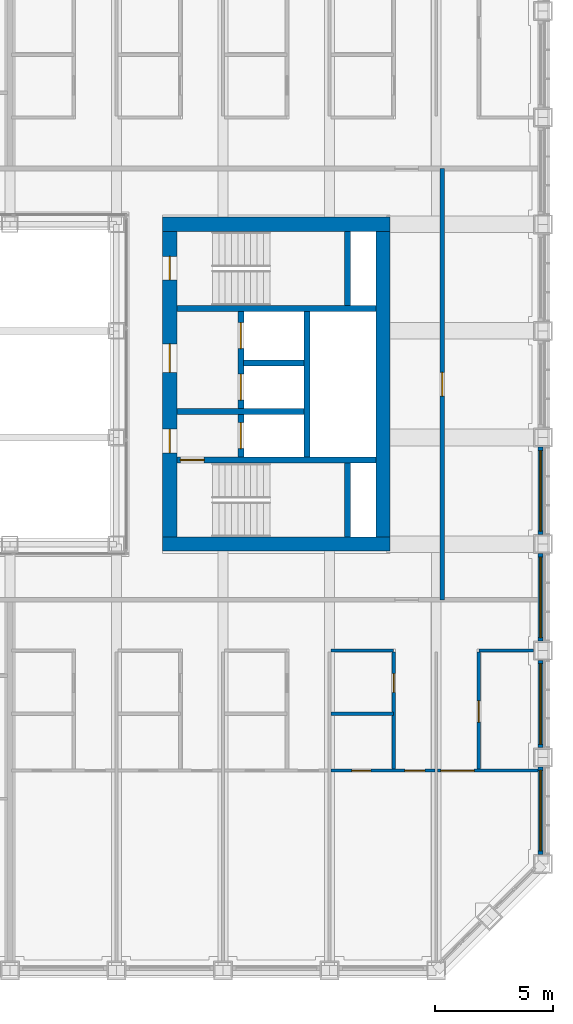
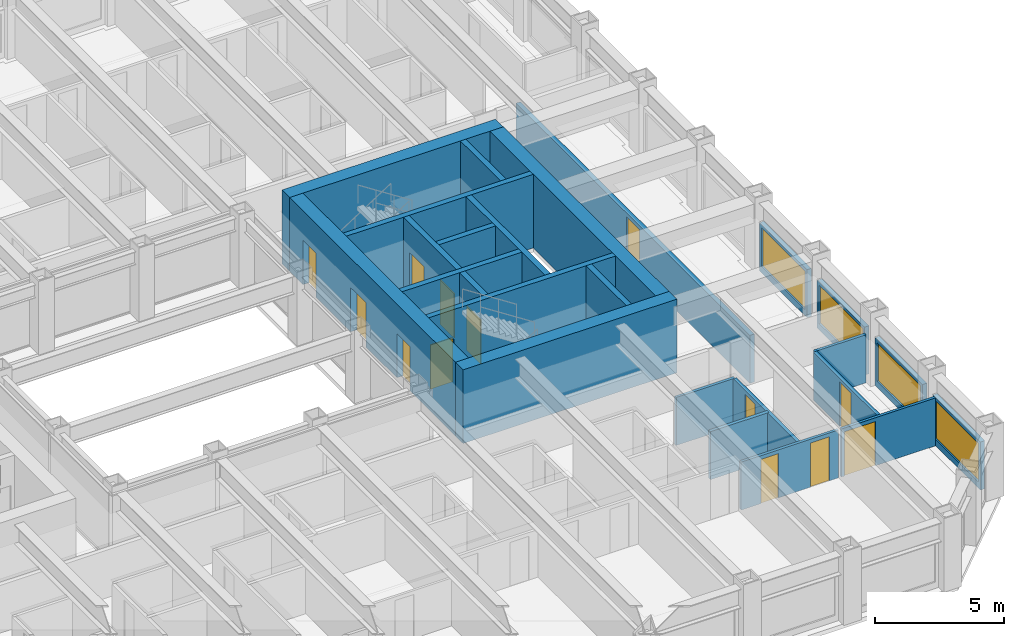
# One storey, part 12 of 21: 24 walls, 13 doors, 4 windows, 17 openings.
"""IFC4 building model written with IfcOpenShell, lengths in metres."""

from ifc_helpers import new_model, si_unit, direction, frame, frame_2d, origin, place, context, subcontext, project, spatial, rectangle, extrude, material, layer, layer_set, type_object, element, fill, save


model = new_model("IFC4")

# Units and contexts
model_context = context("Model", 3, precision=1e-05, world=origin(), true_north=direction((0.0, 1.0)))
body_context = subcontext(model_context, "Body", "Model", "MODEL_VIEW")
ifc_project = project(units=[si_unit("LENGTHUNIT", "METRE"), si_unit("AREAUNIT", "SQUARE_METRE"), si_unit("VOLUMEUNIT", "CUBIC_METRE"), si_unit("PLANEANGLEUNIT", "RADIAN"), si_unit("MASSUNIT", "GRAM", prefix="KILO")], contexts=[model_context])

# Site, building, storey
site_placement = place(None, origin())
site = spatial("IfcSite", under=ifc_project, at=site_placement, CompositionType="ELEMENT")
building_placement = place(site_placement, origin())
building = spatial("IfcBuilding", under=site, at=building_placement, Name="Msasa Ring Tower", CompositionType="ELEMENT")
storey_placement = place(building_placement, frame((0.0, 0.0, 103.5)))
storey = spatial("IfcBuildingStorey", under=building, at=storey_placement, Name="L27", CompositionType="ELEMENT", Elevation=103.5)

# Walls
ifc_material_1 = material(Name="Concrete C60/75", Category="concrete")
ifc_layer_1 = layer(ifc_material_1, 0.60009765625)
ifc_layer_set_1 = layer_set([ifc_layer_1], Name="CW1 CORE WALL 600")
wall_type_1 = type_object("IfcWallType", Name="CW1 CORE WALL 600", PredefinedType="SHEAR", material=ifc_layer_set_1)
for number, where, z_axis, x_axis, name in (
    (1, (8.699951171875, -6.75, 0.0), (0.0, 0.0, 1.0), (1.0, 0.0, 0.0), "E core wall S L27"),
    (2, (8.699951171875, 6.75, 0.0), (0.0, 0.0, 1.0), (1.0, 0.0, 0.0), "E core wall N L27"),
):
    element("IfcWall", number, at=place(storey_placement, frame(where, z_axis=z_axis, x_axis=x_axis)), inside=storey, type_object=wall_type_1, Name=name, PredefinedType="SHEAR", context=body_context, shape_type="SweptSolid", body=[
        extrude(rectangle(XDim=9.60009765625, YDim=0.60009765625, at=frame_2d((4.800048828125, 0.0))), origin(), (0.0, 0.0, 1.0), 3.5),
    ])

# Wall, openings, doors
wall_1_placement = place(storey_placement, frame((9.0, -6.449951171875, 0.0), z_axis=(0.0, 0.0, 1.0), x_axis=(0.0, 1.0, 0.0)))
wall_1 = element("IfcWall", 3, at=wall_1_placement, inside=storey, type_object=wall_type_1, Name="E core wall W L27", PredefinedType="SHEAR", context=body_context, shape_type="SweptSolid", body=[
    extrude(rectangle(XDim=12.89990234375, YDim=0.60009765625, at=frame_2d((6.449951171875, 0.0))), origin(), (0.0, 0.0, 1.0), 3.5),
])
opening_1_placement = place(wall_1_placement, frame((3.550048828125, 0.0, 0.0)))
opening_1 = element("IfcOpeningElement", 4, at=opening_1_placement, cuts=wall_1, Name="Opening RH-045", PredefinedType="OPENING", context=body_context, shape_type="SweptSolid", body=[
    extrude(rectangle(XDim=1.0, YDim=2.10009765625, at=frame_2d((0.5, 1.050048828125))), frame((0.0, 0.31005859375, 0.0), z_axis=(0.0, -1.0, 0.0), x_axis=(1.0, 0.0, 0.0)), (0.0, 0.0, 1.0), 0.6201171875),
])
opening_2_placement = place(wall_1_placement, frame((6.949951171875, 0.0, 0.0)))
opening_2 = element("IfcOpeningElement", 5, at=opening_2_placement, cuts=wall_1, Name="Opening RH-040", PredefinedType="OPENING", context=body_context, shape_type="SweptSolid", body=[
    extrude(rectangle(XDim=1.199951171875, YDim=2.10009765625, at=frame_2d((0.60009765625, 1.050048828125))), frame((0.0, 0.31005859375, 0.0), z_axis=(0.0, -1.0, 0.0), x_axis=(1.0, 0.0, 0.0)), (0.0, 0.0, 1.0), 0.6201171875),
])
opening_3_placement = place(wall_1_placement, frame((10.85009765625, 0.0, 0.0)))
opening_3 = element("IfcOpeningElement", 6, at=opening_3_placement, cuts=wall_1, Name="Opening RH-037", PredefinedType="OPENING", context=body_context, shape_type="SweptSolid", body=[
    extrude(rectangle(XDim=1.0, YDim=2.10009765625, at=frame_2d((0.5, 1.050048828125))), frame((0.0, 0.31005859375, 0.0), z_axis=(0.0, -1.0, 0.0), x_axis=(1.0, 0.0, 0.0)), (0.0, 0.0, 1.0), 0.6201171875),
])
ifc_material_2 = material(Name="Timber door leaf in a steel frame", Category="steel")
door_type_1 = type_object("IfcDoorType", Name="D4 LOBBY DOOR 1000x2100", OperationType="SINGLE_SWING_LEFT", PredefinedType="DOOR", material=ifc_material_2)
door_1_placement = place(opening_1_placement, origin())
door_1 = element("IfcDoor", 7, at=door_1_placement, inside=storey, type_object=door_type_1, Name="Door L27-EFFL", OperationType="SINGLE_SWING_LEFT", OverallHeight=2.10009765625, OverallWidth=1.0, PredefinedType="DOOR", context=body_context, shape_type="SweptSolid", body=[
    extrude(rectangle(XDim=1.0, YDim=2.10009765625, at=frame_2d((0.5, 1.050048828125))), frame((0.0, 0.02490234375, 0.0), z_axis=(0.0, -1.0, 0.0), x_axis=(1.0, 0.0, 0.0)), (0.0, 0.0, 1.0), 0.050048828125),
])
fill(opening_1, door_1)
ifc_material_3 = material(Name="Timber door leaf in a steel frame", Category="steel")
door_type_2 = type_object("IfcDoorType", Name="D5 WIDE LOBBY DOOR 1200x2100", OperationType="SINGLE_SWING_LEFT", PredefinedType="DOOR", material=ifc_material_3)
door_2_placement = place(opening_2_placement, origin())
door_2 = element("IfcDoor", 8, at=door_2_placement, inside=storey, type_object=door_type_2, Name="Door L27-ELL", OperationType="SINGLE_SWING_RIGHT", OverallHeight=2.10009765625, OverallWidth=1.199951171875, PredefinedType="DOOR", context=body_context, shape_type="SweptSolid", body=[
    extrude(rectangle(XDim=1.199951171875, YDim=2.10009765625, at=frame_2d((0.60009765625, 1.050048828125))), frame((0.0, 0.02490234375, 0.0), z_axis=(0.0, -1.0, 0.0), x_axis=(1.0, 0.0, 0.0)), (0.0, 0.0, 1.0), 0.050048828125),
])
fill(opening_2, door_2)
ifc_material_4 = material(Name="Timber door leaf in a steel frame", Category="steel")
door_type_3 = type_object("IfcDoorType", Name="D6 STAIR DOOR 1000x2100", OperationType="SINGLE_SWING_LEFT", PredefinedType="DOOR", material=ifc_material_4)
door_3_placement = place(opening_3_placement, origin())
door_3 = element("IfcDoor", 9, at=door_3_placement, inside=storey, type_object=door_type_3, Name="Door L27-ESTB", OperationType="SINGLE_SWING_RIGHT", OverallHeight=2.10009765625, OverallWidth=1.0, PredefinedType="DOOR", context=body_context, shape_type="SweptSolid", body=[
    extrude(rectangle(XDim=1.0, YDim=2.10009765625, at=frame_2d((0.5, 1.050048828125))), frame((0.0, 0.02490234375, 0.0), z_axis=(0.0, -1.0, 0.0), x_axis=(1.0, 0.0, 0.0)), (0.0, 0.0, 1.0), 0.050048828125),
])
fill(opening_3, door_3)

# Wall
wall_2_placement = place(storey_placement, frame((18.0, -6.449951171875, 0.0), z_axis=(0.0, 0.0, 1.0), x_axis=(0.0, 1.0, 0.0)))
element("IfcWall", 10, at=wall_2_placement, inside=storey, type_object=wall_type_1, Name="E core wall E L27", PredefinedType="SHEAR", context=body_context, shape_type="SweptSolid", body=[
    extrude(rectangle(XDim=12.89990234375, YDim=0.60009765625, at=frame_2d((6.449951171875, 0.0))), origin(), (0.0, 0.0, 1.0), 3.5),
])

# Wall, opening, door
ifc_material_5 = material(Name="Concrete C60/75", Category="concrete")
ifc_layer_2 = layer(ifc_material_5, 0.25)
ifc_layer_set_2 = layer_set([ifc_layer_2], Name="CW4 CORE INNER WALL 250")
wall_type_2 = type_object("IfcWallType", Name="CW4 CORE INNER WALL 250", PredefinedType="SHEAR", material=ifc_layer_set_2)
wall_3_placement = place(storey_placement, frame((9.300048828125, -3.199951171875, 0.0), z_axis=(0.0, 0.0, 1.0), x_axis=(1.0, 0.0, 0.0)))
wall_3 = element("IfcWall", 11, at=wall_3_placement, inside=storey, type_object=wall_type_2, Name="E core wall STAIRA L27", PredefinedType="SHEAR", context=body_context, shape_type="SweptSolid", body=[
    extrude(rectangle(XDim=8.39990234375, YDim=0.25, at=frame_2d((4.199951171875, 0.0))), origin(), (0.0, 0.0, 1.0), 3.5),
])
opening_4_placement = place(wall_3_placement, frame((0.14990234375, 0.0, 0.0)))
opening_4 = element("IfcOpeningElement", 12, at=opening_4_placement, cuts=wall_3, Name="Opening RH-047", PredefinedType="OPENING", context=body_context, shape_type="SweptSolid", body=[
    extrude(rectangle(XDim=1.0, YDim=2.10009765625, at=frame_2d((0.5, 1.050048828125))), frame((0.0, 0.135009765625, 0.0), z_axis=(0.0, -1.0, 0.0), x_axis=(1.0, 0.0, 0.0)), (0.0, 0.0, 1.0), 0.27001953125),
])
door_4_placement = place(opening_4_placement, origin())
door_4 = element("IfcDoor", 13, at=door_4_placement, inside=storey, type_object=door_type_3, Name="Door L27-ESTA", OperationType="SINGLE_SWING_LEFT", OverallHeight=2.10009765625, OverallWidth=1.0, PredefinedType="DOOR", context=body_context, shape_type="SweptSolid", body=[
    extrude(rectangle(XDim=1.0, YDim=2.10009765625, at=frame_2d((0.5, 1.050048828125))), frame((0.0, 0.02490234375, 0.0), z_axis=(0.0, -1.0, 0.0), x_axis=(1.0, 0.0, 0.0)), (0.0, 0.0, 1.0), 0.050048828125),
])
fill(opening_4, door_4)

# Walls
wall_4_placement = place(storey_placement, frame((9.300048828125, 3.199951171875, 0.0), z_axis=(0.0, 0.0, 1.0), x_axis=(1.0, 0.0, 0.0)))
element("IfcWall", 14, at=wall_4_placement, inside=storey, type_object=wall_type_2, Name="E core wall STAIRB L27", PredefinedType="SHEAR", context=body_context, shape_type="SweptSolid", body=[
    extrude(rectangle(XDim=8.39990234375, YDim=0.25, at=frame_2d((4.199951171875, 0.0))), origin(), (0.0, 0.0, 1.0), 3.5),
])
for number, where, z_axis, x_axis, name in (
    (15, (16.5, -6.449951171875, 0.0), (0.0, 0.0, 1.0), (0.0, 1.0, 0.0), "E core wall RISERA L27"),
    (16, (16.5, 3.324951171875, 0.0), (0.0, 0.0, 1.0), (0.0, 1.0, 0.0), "E core wall RISERB L27"),
):
    element("IfcWall", number, at=place(storey_placement, frame(where, z_axis=z_axis, x_axis=x_axis)), inside=storey, type_object=wall_type_2, Name=name, PredefinedType="SHEAR", context=body_context, shape_type="SweptSolid", body=[
        extrude(rectangle(XDim=3.125, YDim=0.25, at=frame_2d((1.5625, 0.0))), origin(), (0.0, 0.0, 1.0), 3.5),
    ])
wall_5_placement = place(storey_placement, frame((9.300048828125, -1.14990234375, 0.0), z_axis=(0.0, 0.0, 1.0), x_axis=(1.0, 0.0, 0.0)))
element("IfcWall", 17, at=wall_5_placement, inside=storey, type_object=wall_type_2, Name="E core wall FFL L27", PredefinedType="SHEAR", context=body_context, shape_type="SweptSolid", body=[
    extrude(rectangle(XDim=5.375, YDim=0.25, at=frame_2d((2.6875, 0.0))), origin(), (0.0, 0.0, 1.0), 3.5),
])

# Wall, openings, doors
wall_6_placement = place(storey_placement, frame((12.0, -3.074951171875, 0.0), z_axis=(0.0, 0.0, 1.0), x_axis=(0.0, 1.0, 0.0)))
wall_6 = element("IfcWall", 18, at=wall_6_placement, inside=storey, type_object=wall_type_2, Name="E core wall LOBBY L27", PredefinedType="SHEAR", context=body_context, shape_type="SweptSolid", body=[
    extrude(rectangle(XDim=6.14990234375, YDim=0.25, at=frame_2d((3.074951171875, 0.0))), origin(), (0.0, 0.0, 1.0), 3.5),
])
opening_5_placement = place(wall_6_placement, frame((0.35009765625, 0.0, 0.0)))
opening_5 = element("IfcOpeningElement", 19, at=opening_5_placement, cuts=wall_6, Name="Opening LD1", PredefinedType="OPENING", context=body_context, shape_type="SweptSolid", body=[
    extrude(rectangle(XDim=1.10009765625, YDim=2.10009765625, at=frame_2d((0.550048828125, 1.050048828125))), frame((0.0, 0.135009765625, 0.0), z_axis=(0.0, -1.0, 0.0), x_axis=(1.0, 0.0, 0.0)), (0.0, 0.0, 1.0), 0.27001953125),
])
opening_6_placement = place(wall_6_placement, frame((2.39990234375, 0.0, 0.0)))
opening_6 = element("IfcOpeningElement", 20, at=opening_6_placement, cuts=wall_6, Name="Opening LD1", PredefinedType="OPENING", context=body_context, shape_type="SweptSolid", body=[
    extrude(rectangle(XDim=1.10009765625, YDim=2.10009765625, at=frame_2d((0.550048828125, 1.050048828125))), frame((0.0, 0.135009765625, 0.0), z_axis=(0.0, -1.0, 0.0), x_axis=(1.0, 0.0, 0.0)), (0.0, 0.0, 1.0), 0.27001953125),
])
opening_7_placement = place(wall_6_placement, frame((4.574951171875, 0.0, 0.0)))
opening_7 = element("IfcOpeningElement", 21, at=opening_7_placement, cuts=wall_6, Name="Opening LD1", PredefinedType="OPENING", context=body_context, shape_type="SweptSolid", body=[
    extrude(rectangle(XDim=1.10009765625, YDim=2.10009765625, at=frame_2d((0.550048828125, 1.050048828125))), frame((0.0, 0.135009765625, 0.0), z_axis=(0.0, -1.0, 0.0), x_axis=(1.0, 0.0, 0.0)), (0.0, 0.0, 1.0), 0.27001953125),
])
ifc_material_6 = material(Name="Stainless steel lift landing door", Category="steel")
door_type_4 = type_object("IfcDoorType", Name="LD1 LIFT LANDING DOOR 1100x2100", OperationType="DOUBLE_DOOR_SLIDING", PredefinedType="DOOR", material=ifc_material_6)
door_5_placement = place(opening_5_placement, origin())
door_5 = element("IfcDoor", 22, at=door_5_placement, inside=storey, type_object=door_type_4, Name="Lift landing door FL-E L27", OperationType="DOUBLE_DOOR_SLIDING", OverallHeight=2.10009765625, OverallWidth=1.10009765625, PredefinedType="DOOR", context=body_context, shape_type="SweptSolid", body=[
    extrude(rectangle(XDim=1.10009765625, YDim=2.10009765625, at=frame_2d((0.550048828125, 1.050048828125))), frame((0.0, 0.02490234375, 0.0), z_axis=(0.0, -1.0, 0.0), x_axis=(1.0, 0.0, 0.0)), (0.0, 0.0, 1.0), 0.050048828125),
])
fill(opening_5, door_5)
door_6_placement = place(opening_6_placement, origin())
door_6 = element("IfcDoor", 23, at=door_6_placement, inside=storey, type_object=door_type_4, Name="Lift landing door PL-R1 L27", OperationType="DOUBLE_DOOR_SLIDING", OverallHeight=2.10009765625, OverallWidth=1.10009765625, PredefinedType="DOOR", context=body_context, shape_type="SweptSolid", body=[
    extrude(rectangle(XDim=1.10009765625, YDim=2.10009765625, at=frame_2d((0.550048828125, 1.050048828125))), frame((0.0, 0.02490234375, 0.0), z_axis=(0.0, -1.0, 0.0), x_axis=(1.0, 0.0, 0.0)), (0.0, 0.0, 1.0), 0.050048828125),
])
fill(opening_6, door_6)
door_7_placement = place(opening_7_placement, origin())
door_7 = element("IfcDoor", 24, at=door_7_placement, inside=storey, type_object=door_type_4, Name="Lift landing door PL-R2 L27", OperationType="DOUBLE_DOOR_SLIDING", OverallHeight=2.10009765625, OverallWidth=1.10009765625, PredefinedType="DOOR", context=body_context, shape_type="SweptSolid", body=[
    extrude(rectangle(XDim=1.10009765625, YDim=2.10009765625, at=frame_2d((0.550048828125, 1.050048828125))), frame((0.0, 0.02490234375, 0.0), z_axis=(0.0, -1.0, 0.0), x_axis=(1.0, 0.0, 0.0)), (0.0, 0.0, 1.0), 0.050048828125),
])
fill(opening_7, door_7)

# Walls
wall_7_placement = place(storey_placement, frame((14.800048828125, -3.074951171875, 0.0), z_axis=(0.0, 0.0, 1.0), x_axis=(0.0, 1.0, 0.0)))
element("IfcWall", 25, at=wall_7_placement, inside=storey, type_object=wall_type_2, Name="E core wall SHAFT L27", PredefinedType="SHEAR", context=body_context, shape_type="SweptSolid", body=[
    extrude(rectangle(XDim=6.14990234375, YDim=0.25, at=frame_2d((3.074951171875, 0.0))), origin(), (0.0, 0.0, 1.0), 3.5),
])
wall_8_placement = place(storey_placement, frame((12.125, 0.89990234375, 0.0), z_axis=(0.0, 0.0, 1.0), x_axis=(1.0, 0.0, 0.0)))
element("IfcWall", 26, at=wall_8_placement, inside=storey, type_object=wall_type_2, Name="E core wall LIFT1 L27", PredefinedType="SHEAR", context=body_context, shape_type="SweptSolid", body=[
    extrude(rectangle(XDim=2.550048828125, YDim=0.25, at=frame_2d((1.27490234375, 0.0))), origin(), (0.0, 0.0, 1.0), 3.5),
])

# Wall, opening, window
ifc_material_7 = material(Name="Terracotta rainscreen on blockwork", Category="masonry")
ifc_layer_3 = layer(ifc_material_7, 0.199951171875)
ifc_layer_set_3 = layer_set([ifc_layer_3], Name="FW1 TERRACOTTA-LINED INFILL BAY WALL 200")
wall_type_3 = type_object("IfcWallType", Name="FW1 TERRACOTTA-LINED INFILL BAY WALL 200", PredefinedType="SOLIDWALL", material=ifc_layer_set_3)
wall_9_placement = place(storey_placement, frame((24.64990234375, -19.844970703125, 0.0), z_axis=(0.0, 0.0, 1.0), x_axis=(0.0, 1.0, 0.0)))
wall_9 = element("IfcWall", 27, at=wall_9_placement, inside=storey, type_object=wall_type_3, Name="Infill bay wall E L27 11", PredefinedType="SOLIDWALL", context=body_context, shape_type="SweptSolid", body=[
    extrude(rectangle(XDim=3.68994140625, YDim=0.199951171875, at=frame_2d((1.844970703125, 0.0))), origin(), (0.0, 0.0, 1.0), 2.279052734375),
])
opening_8_placement = place(wall_9_placement, frame((0.14501953125, 0.0, 0.300048828125)))
opening_8 = element("IfcOpeningElement", 28, at=opening_8_placement, cuts=wall_9, Name="Opening WN6", PredefinedType="OPENING", context=body_context, shape_type="SweptSolid", body=[
    extrude(rectangle(XDim=3.39990234375, YDim=1.8291015625, at=frame_2d((1.699951171875, 0.91455078125))), frame((0.0, 0.10986328125, 0.0), z_axis=(0.0, -1.0, 0.0), x_axis=(1.0, 0.0, 0.0)), (0.0, 0.0, 1.0), 0.219970703125),
])
ifc_material_8 = material(Name="Aluminium frame with clear glass", Category="aluminium")
window_type = type_object("IfcWindowType", Name="WN6 RESIDENCE WINDOW 3400x1829", PartitioningType="SINGLE_PANEL", PredefinedType="WINDOW", material=ifc_material_8)
window_1_placement = place(opening_8_placement, origin())
window_1 = element("IfcWindow", 29, at=window_1_placement, inside=storey, type_object=window_type, Name="Window E L27 11", OverallHeight=1.8291015625, OverallWidth=3.39990234375, PartitioningType="SINGLE_PANEL", PredefinedType="WINDOW", context=body_context, shape_type="SweptSolid", body=[
    extrude(rectangle(XDim=3.39990234375, YDim=1.8291015625, at=frame_2d((1.699951171875, 0.91455078125))), frame((0.0, 0.030029296875, 0.0), z_axis=(0.0, -1.0, 0.0), x_axis=(1.0, 0.0, 0.0)), (0.0, 0.0, 1.0), 0.06005859375),
])
fill(opening_8, window_1)

wall_10_placement = place(storey_placement, frame((24.64990234375, -15.344970703125, 0.0), z_axis=(0.0, 0.0, 1.0), x_axis=(0.0, 1.0, 0.0)))
wall_10 = element("IfcWall", 30, at=wall_10_placement, inside=storey, type_object=wall_type_3, Name="Infill bay wall E L27 12", PredefinedType="SOLIDWALL", context=body_context, shape_type="SweptSolid", body=[
    extrude(rectangle(XDim=3.68994140625, YDim=0.199951171875, at=frame_2d((1.844970703125, 0.0))), origin(), (0.0, 0.0, 1.0), 2.279052734375),
])
opening_9_placement = place(wall_10_placement, frame((0.14501953125, 0.0, 0.300048828125)))
opening_9 = element("IfcOpeningElement", 31, at=opening_9_placement, cuts=wall_10, Name="Opening WN6", PredefinedType="OPENING", context=body_context, shape_type="SweptSolid", body=[
    extrude(rectangle(XDim=3.39990234375, YDim=1.8291015625, at=frame_2d((1.699951171875, 0.91455078125))), frame((0.0, 0.10986328125, 0.0), z_axis=(0.0, -1.0, 0.0), x_axis=(1.0, 0.0, 0.0)), (0.0, 0.0, 1.0), 0.219970703125),
])
window_2_placement = place(opening_9_placement, origin())
window_2 = element("IfcWindow", 32, at=window_2_placement, inside=storey, type_object=window_type, Name="Window E L27 12", OverallHeight=1.8291015625, OverallWidth=3.39990234375, PartitioningType="SINGLE_PANEL", PredefinedType="WINDOW", context=body_context, shape_type="SweptSolid", body=[
    extrude(rectangle(XDim=3.39990234375, YDim=1.8291015625, at=frame_2d((1.699951171875, 0.91455078125))), frame((0.0, 0.030029296875, 0.0), z_axis=(0.0, -1.0, 0.0), x_axis=(1.0, 0.0, 0.0)), (0.0, 0.0, 1.0), 0.06005859375),
])
fill(opening_9, window_2)

wall_11_placement = place(storey_placement, frame((24.64990234375, -10.844970703125, 0.0), z_axis=(0.0, 0.0, 1.0), x_axis=(0.0, 1.0, 0.0)))
wall_11 = element("IfcWall", 33, at=wall_11_placement, inside=storey, type_object=wall_type_3, Name="Infill bay wall E L27 13", PredefinedType="SOLIDWALL", context=body_context, shape_type="SweptSolid", body=[
    extrude(rectangle(XDim=3.68994140625, YDim=0.199951171875, at=frame_2d((1.844970703125, 0.0))), origin(), (0.0, 0.0, 1.0), 2.279052734375),
])
opening_10_placement = place(wall_11_placement, frame((0.14501953125, 0.0, 0.300048828125)))
opening_10 = element("IfcOpeningElement", 34, at=opening_10_placement, cuts=wall_11, Name="Opening WN6", PredefinedType="OPENING", context=body_context, shape_type="SweptSolid", body=[
    extrude(rectangle(XDim=3.39990234375, YDim=1.8291015625, at=frame_2d((1.699951171875, 0.91455078125))), frame((0.0, 0.10986328125, 0.0), z_axis=(0.0, -1.0, 0.0), x_axis=(1.0, 0.0, 0.0)), (0.0, 0.0, 1.0), 0.219970703125),
])
window_3_placement = place(opening_10_placement, origin())
window_3 = element("IfcWindow", 35, at=window_3_placement, inside=storey, type_object=window_type, Name="Window E L27 13", OverallHeight=1.8291015625, OverallWidth=3.39990234375, PartitioningType="SINGLE_PANEL", PredefinedType="WINDOW", context=body_context, shape_type="SweptSolid", body=[
    extrude(rectangle(XDim=3.39990234375, YDim=1.8291015625, at=frame_2d((1.699951171875, 0.91455078125))), frame((0.0, 0.030029296875, 0.0), z_axis=(0.0, -1.0, 0.0), x_axis=(1.0, 0.0, 0.0)), (0.0, 0.0, 1.0), 0.06005859375),
])
fill(opening_10, window_3)

wall_12_placement = place(storey_placement, frame((24.64990234375, -6.344970703125, 0.0), z_axis=(0.0, 0.0, 1.0), x_axis=(0.0, 1.0, 0.0)))
wall_12 = element("IfcWall", 36, at=wall_12_placement, inside=storey, type_object=wall_type_3, Name="Infill bay wall E L27 14", PredefinedType="SOLIDWALL", context=body_context, shape_type="SweptSolid", body=[
    extrude(rectangle(XDim=3.68994140625, YDim=0.199951171875, at=frame_2d((1.844970703125, 0.0))), origin(), (0.0, 0.0, 1.0), 2.279052734375),
])
opening_11_placement = place(wall_12_placement, frame((0.14501953125, 0.0, 0.300048828125)))
opening_11 = element("IfcOpeningElement", 37, at=opening_11_placement, cuts=wall_12, Name="Opening WN6", PredefinedType="OPENING", context=body_context, shape_type="SweptSolid", body=[
    extrude(rectangle(XDim=3.39990234375, YDim=1.8291015625, at=frame_2d((1.699951171875, 0.91455078125))), frame((0.0, 0.10986328125, 0.0), z_axis=(0.0, -1.0, 0.0), x_axis=(1.0, 0.0, 0.0)), (0.0, 0.0, 1.0), 0.219970703125),
])
window_4_placement = place(opening_11_placement, origin())
window_4 = element("IfcWindow", 38, at=window_4_placement, inside=storey, type_object=window_type, Name="Window E L27 14", OverallHeight=1.8291015625, OverallWidth=3.39990234375, PartitioningType="SINGLE_PANEL", PredefinedType="WINDOW", context=body_context, shape_type="SweptSolid", body=[
    extrude(rectangle(XDim=3.39990234375, YDim=1.8291015625, at=frame_2d((1.699951171875, 0.91455078125))), frame((0.0, 0.030029296875, 0.0), z_axis=(0.0, -1.0, 0.0), x_axis=(1.0, 0.0, 0.0)), (0.0, 0.0, 1.0), 0.06005859375),
])
fill(opening_11, window_4)

# Wall, opening, door
ifc_material_9 = material(Name="Concrete blockwork", Category="masonry")
ifc_layer_4 = layer(ifc_material_9, 0.199951171875)
ifc_layer_set_4 = layer_set([ifc_layer_4], Name="PT1 CORRIDOR WALL 200")
wall_type_4 = type_object("IfcWallType", Name="PT1 CORRIDOR WALL 200", PredefinedType="PARTITIONING", material=ifc_layer_set_4)
wall_13_placement = place(storey_placement, frame((20.5, -9.10009765625, 0.0), z_axis=(0.0, 0.0, 1.0), x_axis=(0.0, 1.0, 0.0)))
wall_13 = element("IfcWall", 39, at=wall_13_placement, inside=storey, type_object=wall_type_4, Name="Corridor wall L27-STRE", PredefinedType="PARTITIONING", context=body_context, shape_type="SweptSolid", body=[
    extrude(rectangle(XDim=18.2001953125, YDim=0.199951171875, at=frame_2d((9.10009765625, 0.0))), origin(), (0.0, 0.0, 1.0), 2.279052734375),
])
opening_12_placement = place(wall_13_placement, frame((8.60009765625, 0.0, 0.0)))
opening_12 = element("IfcOpeningElement", 40, at=opening_12_placement, cuts=wall_13, Name="Opening RH-042", PredefinedType="OPENING", context=body_context, shape_type="SweptSolid", body=[
    extrude(rectangle(XDim=1.0, YDim=2.10009765625, at=frame_2d((0.5, 1.050048828125))), frame((0.0, 0.10986328125, 0.0), z_axis=(0.0, -1.0, 0.0), x_axis=(1.0, 0.0, 0.0)), (0.0, 0.0, 1.0), 0.219970703125),
])
ifc_material_10 = material(Name="Timber door leaf in a steel frame", Category="steel")
door_type_5 = type_object("IfcDoorType", Name="D10 STORE DOOR 1000x2100", OperationType="SINGLE_SWING_LEFT", PredefinedType="DOOR", material=ifc_material_10)
door_8_placement = place(opening_12_placement, origin())
door_8 = element("IfcDoor", 41, at=door_8_placement, inside=storey, type_object=door_type_5, Name="Door L27-RSE", OperationType="SINGLE_SWING_LEFT", OverallHeight=2.10009765625, OverallWidth=1.0, PredefinedType="DOOR", context=body_context, shape_type="SweptSolid", body=[
    extrude(rectangle(XDim=1.0, YDim=2.10009765625, at=frame_2d((0.5, 1.050048828125))), frame((0.0, 0.02490234375, 0.0), z_axis=(0.0, -1.0, 0.0), x_axis=(1.0, 0.0, 0.0)), (0.0, 0.0, 1.0), 0.050048828125),
])
fill(opening_12, door_8)

ifc_material_11 = material(Name="Moisture-resistant board on steel studs with a concealed cistern and pipe void, tiled", Category="steel")
ifc_layer_5 = layer(ifc_material_11, 0.14990234375)
ifc_layer_set_5 = layer_set([ifc_layer_5], Name="PT4 BATHROOM WET WALL 150")
wall_type_5 = type_object("IfcWallType", Name="PT4 BATHROOM WET WALL 150", PredefinedType="PARTITIONING", material=ifc_layer_set_5)
wall_14_placement = place(storey_placement, frame((22.050048828125, -16.3125, 0.0), z_axis=(0.0, 0.0, 1.0), x_axis=(0.0, 1.0, 0.0)))
wall_14 = element("IfcWall", 42, at=wall_14_placement, inside=storey, type_object=wall_type_5, Name="Partition L27-US02SX0", PredefinedType="PARTITIONING", context=body_context, shape_type="SweptSolid", body=[
    extrude(rectangle(XDim=5.0, YDim=0.14990234375, at=frame_2d((2.5, 0.0))), origin(), (0.0, 0.0, 1.0), 2.279052734375),
])
opening_13_placement = place(wall_14_placement, frame((2.050048828125, 0.0, 0.0)))
opening_13 = element("IfcOpeningElement", 43, at=opening_13_placement, cuts=wall_14, Name="Opening RH-062", PredefinedType="OPENING", context=body_context, shape_type="SweptSolid", body=[
    extrude(rectangle(XDim=0.89990234375, YDim=2.10009765625, at=frame_2d((0.449951171875, 1.050048828125))), frame((0.0, 0.0849609375, 0.0), z_axis=(0.0, -1.0, 0.0), x_axis=(1.0, 0.0, 0.0)), (0.0, 0.0, 1.0), 0.169921875),
])
ifc_material_12 = material(Name="Timber door leaf in a steel frame", Category="steel")
door_type_6 = type_object("IfcDoorType", Name="D22 INTERNAL HALL DOOR 900x2100", OperationType="SINGLE_SWING_LEFT", PredefinedType="DOOR", material=ifc_material_12)
door_9_placement = place(opening_13_placement, origin())
door_9 = element("IfcDoor", 44, at=door_9_placement, inside=storey, type_object=door_type_6, Name="Door L27-US02K", OperationType="SINGLE_SWING_LEFT", OverallHeight=2.10009765625, OverallWidth=0.89990234375, PredefinedType="DOOR", context=body_context, shape_type="SweptSolid", body=[
    extrude(rectangle(XDim=0.89990234375, YDim=2.10009765625, at=frame_2d((0.449951171875, 1.050048828125))), frame((0.0, 0.02490234375, 0.0), z_axis=(0.0, -1.0, 0.0), x_axis=(1.0, 0.0, 0.0)), (0.0, 0.0, 1.0), 0.050048828125),
])
fill(opening_13, door_9)

wall_15_placement = place(storey_placement, frame((18.449951171875, -16.3125, 0.0), z_axis=(0.0, 0.0, 1.0), x_axis=(0.0, 1.0, 0.0)))
wall_15 = element("IfcWall", 45, at=wall_15_placement, inside=storey, type_object=wall_type_5, Name="Partition L27-US02SX1", PredefinedType="PARTITIONING", context=body_context, shape_type="SweptSolid", body=[
    extrude(rectangle(XDim=5.0, YDim=0.14990234375, at=frame_2d((2.5, 0.0))), origin(), (0.0, 0.0, 1.0), 2.279052734375),
])
opening_14_placement = place(wall_15_placement, frame((3.300048828125, 0.0, 0.0)))
opening_14 = element("IfcOpeningElement", 46, at=opening_14_placement, cuts=wall_15, Name="Opening RH-061", PredefinedType="OPENING", context=body_context, shape_type="SweptSolid", body=[
    extrude(rectangle(XDim=0.800048828125, YDim=2.10009765625, at=frame_2d((0.39990234375, 1.050048828125))), frame((0.0, 0.0849609375, 0.0), z_axis=(0.0, -1.0, 0.0), x_axis=(1.0, 0.0, 0.0)), (0.0, 0.0, 1.0), 0.169921875),
])
ifc_material_13 = material(Name="Timber door leaf in a steel frame", Category="steel")
door_type_7 = type_object("IfcDoorType", Name="D21 POCKET SLIDING BATHROOM DOOR 800x2100", OperationType="SINGLE_SWING_LEFT", PredefinedType="DOOR", material=ifc_material_13)
door_10_placement = place(opening_14_placement, origin())
door_10 = element("IfcDoor", 47, at=door_10_placement, inside=storey, type_object=door_type_7, Name="Door L27-US02B1", OperationType="SINGLE_SWING_RIGHT", OverallHeight=2.10009765625, OverallWidth=0.800048828125, PredefinedType="DOOR", context=body_context, shape_type="SweptSolid", body=[
    extrude(rectangle(XDim=0.800048828125, YDim=2.10009765625, at=frame_2d((0.39990234375, 1.050048828125))), frame((0.0, 0.02490234375, 0.0), z_axis=(0.0, -1.0, 0.0), x_axis=(1.0, 0.0, 0.0)), (0.0, 0.0, 1.0), 0.050048828125),
])
fill(opening_14, door_10)

# Walls
wall_16_placement = place(storey_placement, frame((15.8125, -13.91259765625, 0.0), z_axis=(0.0, 0.0, 1.0), x_axis=(1.0, 0.0, 0.0)))
element("IfcWall", 48, at=wall_16_placement, inside=storey, type_object=wall_type_5, Name="Partition L27-US02SB1", PredefinedType="PARTITIONING", context=body_context, shape_type="SweptSolid", body=[
    extrude(rectangle(XDim=2.637451171875, YDim=0.14990234375, at=frame_2d((1.31884765625, 0.0))), origin(), (0.0, 0.0, 1.0), 2.279052734375),
])
ifc_material_14 = material(Name="Two layers of acoustic board each face on steel studs, mineral wool", Category="steel")
ifc_layer_6 = layer(ifc_material_14, 0.125)
ifc_layer_set_6 = layer_set([ifc_layer_6], Name="PT6 ACOUSTIC DOUBLE-BOARD PARTITION 125")
wall_type_6 = type_object("IfcWallType", Name="PT6 ACOUSTIC DOUBLE-BOARD PARTITION 125", PredefinedType="PARTITIONING", material=ifc_layer_set_6)
wall_17_placement = place(storey_placement, frame((22.050048828125, -11.25, 0.0), z_axis=(0.0, 0.0, 1.0), x_axis=(1.0, 0.0, 0.0)))
element("IfcWall", 49, at=wall_17_placement, inside=storey, type_object=wall_type_6, Name="Partition L27-US02HY0", PredefinedType="PARTITIONING", context=body_context, shape_type="SweptSolid", body=[
    extrude(rectangle(XDim=2.300048828125, YDim=0.125, at=frame_2d((1.14990234375, 0.0))), origin(), (0.0, 0.0, 1.0), 2.279052734375),
])

# Wall, opening, door
wall_18_placement = place(storey_placement, frame((20.3125, -16.3125, 0.0), z_axis=(0.0, 0.0, 1.0), x_axis=(1.0, 0.0, 0.0)))
wall_18 = element("IfcWall", 50, at=wall_18_placement, inside=storey, type_object=wall_type_6, Name="Partition L27-US02SY0", PredefinedType="PARTITIONING", context=body_context, shape_type="SweptSolid", body=[
    extrude(rectangle(XDim=4.237548828125, YDim=0.125, at=frame_2d((2.11865234375, 0.0))), origin(), (0.0, 0.0, 1.0), 2.279052734375),
])
opening_15_placement = place(wall_18_placement, frame((0.137451171875, 0.0, 0.0)))
opening_15 = element("IfcOpeningElement", 51, at=opening_15_placement, cuts=wall_18, Name="Opening RH-072", PredefinedType="OPENING", context=body_context, shape_type="SweptSolid", body=[
    extrude(rectangle(XDim=1.39990234375, YDim=2.10009765625, at=frame_2d((0.699951171875, 1.050048828125))), frame((0.0, 0.072509765625, 0.0), z_axis=(0.0, -1.0, 0.0), x_axis=(1.0, 0.0, 0.0)), (0.0, 0.0, 1.0), 0.14501953125),
])
ifc_material_15 = material(Name="Timber door leaf in a steel frame", Category="steel")
door_type_8 = type_object("IfcDoorType", Name="D15 LIVING ROOM PAIR OF GLAZED DOORS 1400x2100", OperationType="SINGLE_SWING_LEFT", PredefinedType="DOOR", material=ifc_material_15)
door_11_placement = place(opening_15_placement, origin())
door_11 = element("IfcDoor", 52, at=door_11_placement, inside=storey, type_object=door_type_8, Name="Door L27-US02L", OperationType="SINGLE_SWING_LEFT", OverallHeight=2.10009765625, OverallWidth=1.39990234375, PredefinedType="DOOR", context=body_context, shape_type="SweptSolid", body=[
    extrude(rectangle(XDim=1.39990234375, YDim=2.10009765625, at=frame_2d((0.699951171875, 1.050048828125))), frame((0.0, 0.02490234375, 0.0), z_axis=(0.0, -1.0, 0.0), x_axis=(1.0, 0.0, 0.0)), (0.0, 0.0, 1.0), 0.050048828125),
])
fill(opening_15, door_11)

# Wall
wall_19_placement = place(storey_placement, frame((15.8173828125, -11.25, 0.0), z_axis=(0.0, 0.0, 1.0), x_axis=(1.0, 0.0, 0.0)))
element("IfcWall", 53, at=wall_19_placement, inside=storey, type_object=wall_type_6, Name="Partition L27-US02HY1", PredefinedType="PARTITIONING", context=body_context, shape_type="SweptSolid", body=[
    extrude(rectangle(XDim=2.632568359375, YDim=0.125, at=frame_2d((1.31640625, 0.0))), origin(), (0.0, 0.0, 1.0), 2.279052734375),
])

# Wall, openings, doors
wall_20_placement = place(storey_placement, frame((15.8125, -16.3125, 0.0), z_axis=(0.0, 0.0, 1.0), x_axis=(1.0, 0.0, 0.0)))
wall_20 = element("IfcWall", 54, at=wall_20_placement, inside=storey, type_object=wall_type_6, Name="Partition L27-US02SY1", PredefinedType="PARTITIONING", context=body_context, shape_type="SweptSolid", body=[
    extrude(rectangle(XDim=4.375, YDim=0.125, at=frame_2d((2.1875, 0.0))), origin(), (0.0, 0.0, 1.0), 2.279052734375),
])
opening_16_placement = place(wall_20_placement, frame((3.112548828125, 0.0, 0.0)))
opening_16 = element("IfcOpeningElement", 55, at=opening_16_placement, cuts=wall_20, Name="Opening RH-071", PredefinedType="OPENING", context=body_context, shape_type="SweptSolid", body=[
    extrude(rectangle(XDim=0.85009765625, YDim=2.10009765625, at=frame_2d((0.425048828125, 1.050048828125))), frame((0.0, 0.072509765625, 0.0), z_axis=(0.0, -1.0, 0.0), x_axis=(1.0, 0.0, 0.0)), (0.0, 0.0, 1.0), 0.14501953125),
])
opening_17_placement = place(wall_20_placement, frame((0.88134765625, 0.0, 0.0)))
opening_17 = element("IfcOpeningElement", 56, at=opening_17_placement, cuts=wall_20, Name="Opening RH-070", PredefinedType="OPENING", context=body_context, shape_type="SweptSolid", body=[
    extrude(rectangle(XDim=0.800048828125, YDim=2.10009765625, at=frame_2d((0.39990234375, 1.050048828125))), frame((0.0, 0.072509765625, 0.0), z_axis=(0.0, -1.0, 0.0), x_axis=(1.0, 0.0, 0.0)), (0.0, 0.0, 1.0), 0.14501953125),
])
ifc_material_16 = material(Name="Timber door leaf in a steel frame", Category="steel")
door_type_9 = type_object("IfcDoorType", Name="D14 BEDROOM DOOR 850x2100", OperationType="SINGLE_SWING_LEFT", PredefinedType="DOOR", material=ifc_material_16)
door_12_placement = place(opening_16_placement, origin())
door_12 = element("IfcDoor", 57, at=door_12_placement, inside=storey, type_object=door_type_9, Name="Door L27-US02R1", OperationType="SINGLE_SWING_RIGHT", OverallHeight=2.10009765625, OverallWidth=0.85009765625, PredefinedType="DOOR", context=body_context, shape_type="SweptSolid", body=[
    extrude(rectangle(XDim=0.85009765625, YDim=2.10009765625, at=frame_2d((0.425048828125, 1.050048828125))), frame((0.0, 0.02490234375, 0.0), z_axis=(0.0, -1.0, 0.0), x_axis=(1.0, 0.0, 0.0)), (0.0, 0.0, 1.0), 0.050048828125),
])
fill(opening_16, door_12)
ifc_material_17 = material(Name="Timber door leaf in a steel frame", Category="steel")
door_type_10 = type_object("IfcDoorType", Name="D60 DRESSING ROOM DOOR 800x2100", OperationType="SINGLE_SWING_LEFT", PredefinedType="DOOR", material=ifc_material_17)
door_13_placement = place(opening_17_placement, origin())
door_13 = element("IfcDoor", 58, at=door_13_placement, inside=storey, type_object=door_type_10, Name="Door L27-US02W1", OperationType="SINGLE_SWING_LEFT", OverallHeight=2.10009765625, OverallWidth=0.800048828125, PredefinedType="DOOR", context=body_context, shape_type="SweptSolid", body=[
    extrude(rectangle(XDim=0.800048828125, YDim=2.10009765625, at=frame_2d((0.39990234375, 1.050048828125))), frame((0.0, 0.02490234375, 0.0), z_axis=(0.0, -1.0, 0.0), x_axis=(1.0, 0.0, 0.0)), (0.0, 0.0, 1.0), 0.050048828125),
])
fill(opening_17, door_13)

save(model, "model.ifc")
